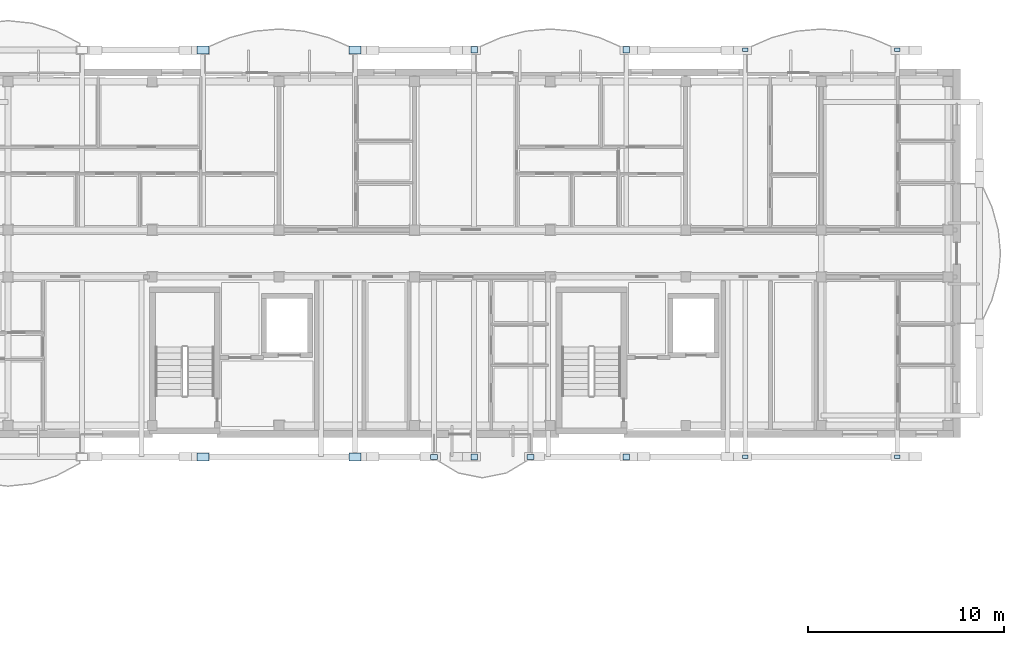
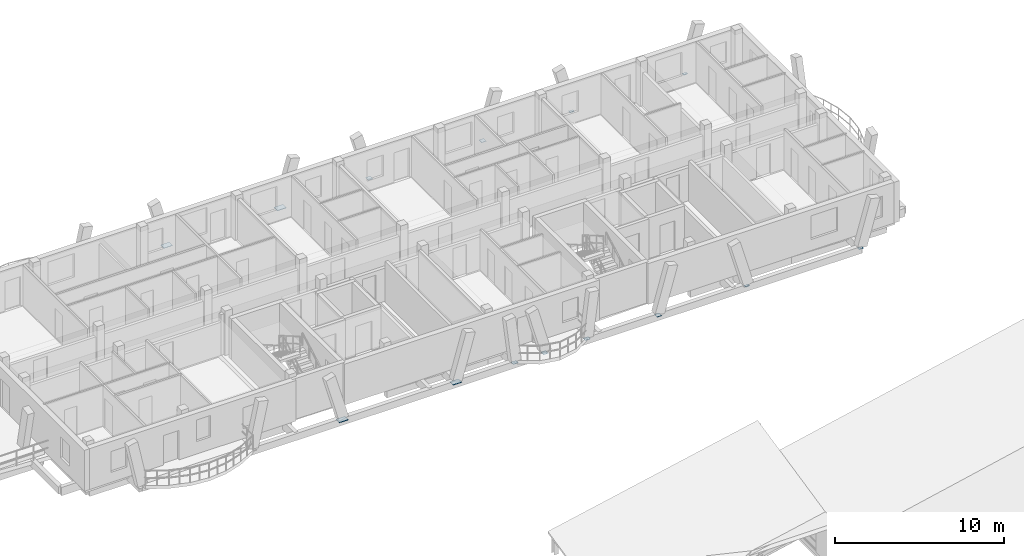
# One storey, part 63 of 109: 14 plates.
"""IFC4 building model written with IfcOpenShell, lengths in metres."""

from ifc_helpers import new_model, si_unit, direction, frame, origin, origin_2d, place, context, subcontext, project, spatial, rectangle, extrude, material, layer, layer_set, type_object, element, save


model = new_model("IFC4")

# Units and contexts
model_context = context("Model", 3, precision=1e-05, world=origin(), true_north=direction((0.0, 1.0)))
body_context = subcontext(model_context, "Body", "Model", "MODEL_VIEW")
ifc_project = project(units=[si_unit("LENGTHUNIT", "METRE"), si_unit("AREAUNIT", "SQUARE_METRE"), si_unit("VOLUMEUNIT", "CUBIC_METRE"), si_unit("PLANEANGLEUNIT", "RADIAN"), si_unit("MASSUNIT", "GRAM", prefix="KILO")], contexts=[model_context])

# Site, building, storey
site_placement = place(None, origin())
site = spatial("IfcSite", under=ifc_project, at=site_placement, CompositionType="ELEMENT")
building_placement = place(site_placement, origin())
building = spatial("IfcBuilding", under=site, at=building_placement, Name="Zavelmont Quarter", CompositionType="ELEMENT")
storey_placement = place(building_placement, frame((0.0, 0.0, 8.0)))
storey = spatial("IfcBuildingStorey", under=building, at=storey_placement, Name="L02", CompositionType="ELEMENT", Elevation=8.0)

# Plates
ifc_material = material(Name="Steel S355", Category="steel")
ifc_layer_1 = layer(ifc_material, 0.02001953125)
ifc_layer_set_1 = layer_set([ifc_layer_1], Name="Steel S355")
plate_type_1 = type_object("IfcPlateType", Name="NP01", PredefinedType="SHEET", material=ifc_layer_set_1)
for number, where, z_axis, x_axis, name in (
    (1, (157.229248046875, 117.162109375, -0.2099609375), (0.0, 0.0, 1.0), (1.0, 0.0, 0.0), "L02 steel connection plate NP01 at 23/S"),
    (2, (164.970703125, 117.162109375, -0.2099609375), (0.0, 0.0, 1.0), (1.0, 0.0, 0.0), "L02 steel connection plate NP01 at 25/S"),
    (3, (157.229248046875, 96.43798828125, -0.2099609375), (0.0, 0.0, 1.0), (1.0, 0.0, 0.0), "L02 steel connection plate NP01 at 23/P"),
    (4, (164.970703125, 96.43798828125, -0.2099609375), (0.0, 0.0, 1.0), (1.0, 0.0, 0.0), "L02 steel connection plate NP01 at 25/P"),
):
    element("IfcPlate", number, at=place(storey_placement, frame(where, z_axis=z_axis, x_axis=x_axis)), inside=storey, type_object=plate_type_1, Name=name, PredefinedType="SHEET", context=body_context, shape_type="SweptSolid", body=[
        extrude(rectangle(XDim=0.280029296875, YDim=0.179931640625, at=origin_2d()), origin(), (0.0, 0.0, 1.0), 0.02001953125),
    ])
ifc_layer_2 = layer(ifc_material, 0.02392578125)
ifc_layer_set_2 = layer_set([ifc_layer_2], Name="Steel S355")
plate_type_2 = type_object("IfcPlateType", Name="NP02", PredefinedType="SHEET", material=ifc_layer_set_2)
for number, where, z_axis, x_axis, name in (
    (5, (141.3916015625, 96.43798828125, -0.2119140625), (0.0, 0.0, 1.0), (1.0, 0.0, 0.0), "L02 steel connection plate NP02 at 21/P"),
    (6, (146.308349609375, 96.43798828125, -0.2119140625), (0.0, 0.0, 1.0), (1.0, 0.0, 0.0), "L02 steel connection plate NP02 at 22/P"),
):
    element("IfcPlate", number, at=place(storey_placement, frame(where, z_axis=z_axis, x_axis=x_axis)), inside=storey, type_object=plate_type_2, Name=name, PredefinedType="SHEET", context=body_context, shape_type="SweptSolid", body=[
        extrude(rectangle(XDim=0.360107421875, YDim=0.260009765625, at=origin_2d()), origin(), (0.0, 0.0, 1.0), 0.02392578125),
    ])
ifc_layer_3 = layer(ifc_material, 0.030029296875)
ifc_layer_set_3 = layer_set([ifc_layer_3], Name="Steel S355")
plate_type_3 = type_object("IfcPlateType", Name="NP05", PredefinedType="SHEET", material=ifc_layer_set_3)
for number, where, z_axis, x_axis, name in (
    (7, (129.629150390625, 117.162109375, -0.21484375), (0.0, 0.0, 1.0), (1.0, 0.0, 0.0), "L02 steel connection plate NP05 at 19/S"),
    (8, (137.370849609375, 117.162109375, -0.21484375), (0.0, 0.0, 1.0), (1.0, 0.0, 0.0), "L02 steel connection plate NP05 at 21/S"),
    (9, (129.629150390625, 96.43798828125, -0.21484375), (0.0, 0.0, 1.0), (1.0, 0.0, 0.0), "L02 steel connection plate NP05 at 19/P"),
    (10, (137.370849609375, 96.43798828125, -0.21484375), (0.0, 0.0, 1.0), (1.0, 0.0, 0.0), "L02 steel connection plate NP05 at 21/P"),
):
    element("IfcPlate", number, at=place(storey_placement, frame(where, z_axis=z_axis, x_axis=x_axis)), inside=storey, type_object=plate_type_3, Name=name, PredefinedType="SHEET", context=body_context, shape_type="SweptSolid", body=[
        extrude(rectangle(XDim=0.60009765625, YDim=0.39990234375, at=origin_2d()), origin(), (0.0, 0.0, 1.0), 0.030029296875),
    ])
ifc_layer_4 = layer(ifc_material, 0.02197265625)
ifc_layer_set_4 = layer_set([ifc_layer_4], Name="Steel S355")
plate_type_4 = type_object("IfcPlateType", Name="NP06", PredefinedType="SHEET", material=ifc_layer_set_4)
for number, where, z_axis, x_axis, name in (
    (11, (143.42919921875, 117.162109375, -0.2109375), (0.0, 0.0, 1.0), (1.0, 0.0, 0.0), "L02 steel connection plate NP06 at 21/S"),
    (12, (151.1708984375, 117.162109375, -0.2109375), (0.0, 0.0, 1.0), (1.0, 0.0, 0.0), "L02 steel connection plate NP06 at 23/S"),
    (13, (143.42919921875, 96.43798828125, -0.2109375), (0.0, 0.0, 1.0), (1.0, 0.0, 0.0), "L02 steel connection plate NP06 at 21/P"),
    (14, (151.1708984375, 96.43798828125, -0.2109375), (0.0, 0.0, 1.0), (1.0, 0.0, 0.0), "L02 steel connection plate NP06 at 23/P"),
):
    element("IfcPlate", number, at=place(storey_placement, frame(where, z_axis=z_axis, x_axis=x_axis)), inside=storey, type_object=plate_type_4, Name=name, PredefinedType="SHEET", context=body_context, shape_type="SweptSolid", body=[
        extrude(rectangle(XDim=0.320068359375, YDim=0.320068359375, at=origin_2d()), origin(), (0.0, 0.0, 1.0), 0.02197265625),
    ])

save(model, "model.ifc")
